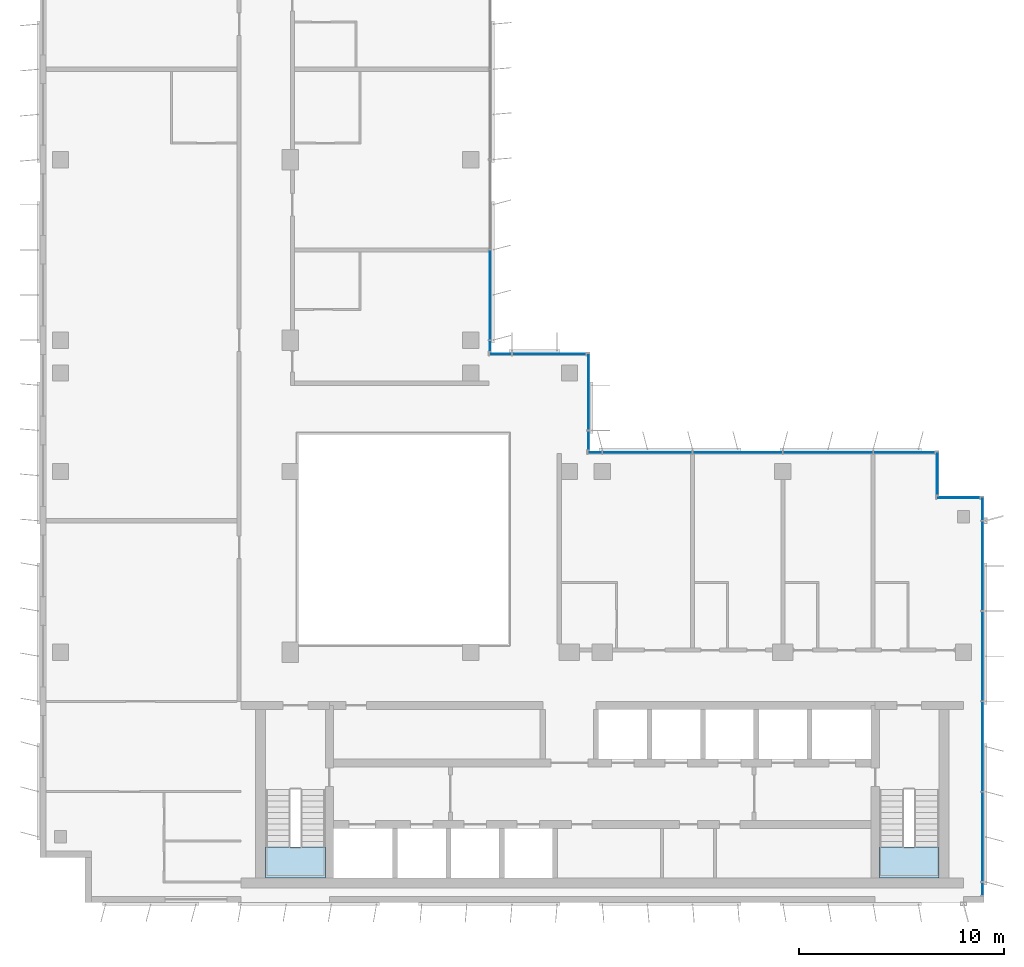
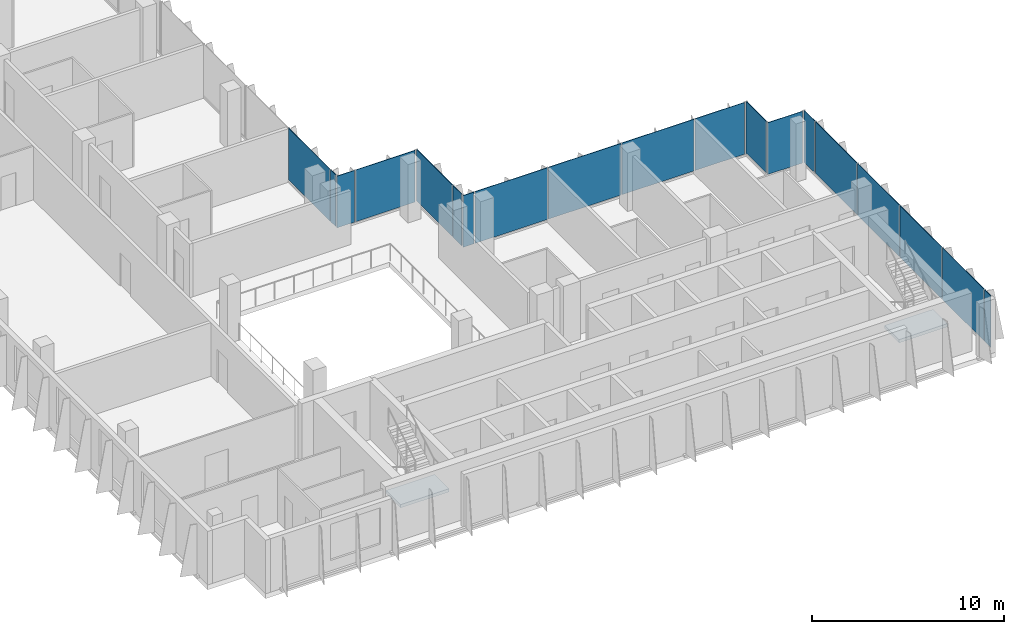
# One storey, part 7 of 15: 19 plates, 2 slabs, 9 elements without a shape of their own.
"""IFC4 building model written with IfcOpenShell, lengths in metres."""

from ifc_helpers import new_model, si_unit, direction, frame, origin, origin_2d, place, context, subcontext, project, spatial, polyline, rectangle, outline, extrude, source, transform, mapped, material, layer, layer_set, type_object, element, aggregate, save


model = new_model("IFC4")

# Units and contexts
model_context = context("Model", 3, precision=1e-05, world=origin(), true_north=direction((0.0, 1.0)))
body_context = subcontext(model_context, "Body", "Model", "MODEL_VIEW")
ifc_project = project(units=[si_unit("LENGTHUNIT", "METRE"), si_unit("AREAUNIT", "SQUARE_METRE"), si_unit("VOLUMEUNIT", "CUBIC_METRE"), si_unit("PLANEANGLEUNIT", "RADIAN"), si_unit("MASSUNIT", "GRAM", prefix="KILO")], contexts=[model_context])

# Site, building, storey
site_placement = place(None, origin())
site = spatial("IfcSite", under=ifc_project, at=site_placement, CompositionType="ELEMENT")
building_placement = place(site_placement, origin())
building = spatial("IfcBuilding", under=site, at=building_placement, Name="Kemantara Hotel Tower", CompositionType="ELEMENT")
storey_placement = place(building_placement, frame((0.0, 0.0, 301.800048828125)))
storey = spatial("IfcBuildingStorey", under=building, at=storey_placement, Name="L76", CompositionType="ELEMENT", Elevation=301.800048828125)

# Stair, slab
ifc_material_1 = material(Name="Concrete fc 40 MPa", Category="concrete")
stair_type = type_object("IfcStairType", Name="Stair 1200 wide 22 risers of 168 x 280 mm", PredefinedType="HALF_TURN_STAIR", material=ifc_material_1)
stair_1_placement = place(storey_placement, origin())
stair_1 = element("IfcStair", 1, at=stair_1_placement, inside=storey, type_object=stair_type, Name="L76 Exit stair ST1", PredefinedType="HALF_TURN_STAIR")
ifc_layer_1 = layer(ifc_material_1, 0.199951171875)
ifc_layer_set_1 = layer_set([ifc_layer_1], Name="Concrete fc 40 MPa")
slab_type = type_object("IfcSlabType", Name="Stair landing 200 mm", PredefinedType="LANDING", material=ifc_layer_set_1)
slab_1_placement = place(storey_placement, frame((0.0, 0.0, 1.64990234375)))
slab_1 = element("IfcSlab", 2, at=slab_1_placement, type_object=slab_type, Name="ST1 landing 1", PredefinedType="LANDING", context=body_context, shape_type="SweptSolid", body=[
    extrude(outline(polyline([(11.0, 2.699951171875), (11.0, 1.199951171875), (13.89990234375, 1.199951171875), (13.89990234375, 2.699951171875), (11.0, 2.699951171875)])), origin(), (0.0, 0.0, 1.0), 0.199951171875),
])
aggregate(stair_1, [slab_1])

stair_2_placement = place(storey_placement, origin())
stair_2 = element("IfcStair", 3, at=stair_2_placement, inside=storey, type_object=stair_type, Name="L76 Exit stair ST2", PredefinedType="HALF_TURN_STAIR")
slab_2_placement = place(storey_placement, frame((0.0, 0.0, 1.64990234375)))
slab_2 = element("IfcSlab", 4, at=slab_2_placement, type_object=slab_type, Name="ST2 landing 1", PredefinedType="LANDING", context=body_context, shape_type="SweptSolid", body=[
    extrude(outline(polyline([(40.89990234375, 2.699951171875), (40.89990234375, 1.199951171875), (43.800048828125, 1.199951171875), (43.800048828125, 2.699951171875), (40.89990234375, 2.699951171875)])), origin(), (0.0, 0.0, 1.0), 0.199951171875),
])
aggregate(stair_2, [slab_2])

# Curtain wall, plates
ifc_material_2 = material(Name="Low-E tinted double insulated glass 36 mm", Category="glass")
curtain_wall_type = type_object("IfcCurtainWallType", Name="TOWER CURTAIN WALL, FRONT FACES", PredefinedType="USERDEFINED", material=ifc_material_2)
curtain_wall_1_placement = place(storey_placement, origin())
curtain_wall_1 = element("IfcCurtainWall", 5, at=curtain_wall_1_placement, inside=storey, type_object=curtain_wall_type, Name="CW4 L76 T4-R09-1", ObjectType="TOWER CURTAIN WALL, FRONT FACES", PredefinedType="USERDEFINED")
ifc_layer_2 = layer(ifc_material_2, 0.035888671875)
ifc_layer_set_2 = layer_set([ifc_layer_2], Name="Low-E tinted double insulated glass 36 mm")
plate_type = type_object("IfcPlateType", Name="TOWER CURTAIN WALL, FRONT FACES PANEL", PredefinedType="CURTAIN_PANEL", material=ifc_layer_set_2)
shared_shape_1 = source(origin(), body_context, "Body", "SweptSolid", [
    extrude(rectangle(XDim=4.340087890625, YDim=0.035888671875, at=origin_2d()), origin(), (0.0, 0.0, 1.0), 3.280029296875),
])
plate_1_placement = place(storey_placement, frame((45.925048828125, 3.199951171875, 0.1201171875), z_axis=(0.0, 0.0, 1.0), x_axis=(0.0, 1.0, 0.0)))
plate_1 = element("IfcPlate", 6, at=plate_1_placement, type_object=plate_type, Name="CW4 glass panel T4-R09-1.2", PredefinedType="CURTAIN_PANEL", context=body_context, shape_type="MappedRepresentation", body=[
    mapped(shared_shape_1, transform((0.0, 0.0, 0.0))),
])
plate_2_placement = place(storey_placement, frame((45.925048828125, 7.60009765625, 0.1201171875), z_axis=(0.0, 0.0, 1.0), x_axis=(0.0, 1.0, 0.0)))
plate_2 = element("IfcPlate", 7, at=plate_2_placement, type_object=plate_type, Name="CW4 glass panel T4-R09-1.3", PredefinedType="CURTAIN_PANEL", context=body_context, shape_type="MappedRepresentation", body=[
    mapped(shared_shape_1, transform((0.0, 0.0, 0.0))),
])
plate_3_placement = place(storey_placement, frame((45.925048828125, 12.0, 0.1201171875), z_axis=(0.0, 0.0, 1.0), x_axis=(0.0, 1.0, 0.0)))
plate_3 = element("IfcPlate", 8, at=plate_3_placement, type_object=plate_type, Name="CW4 glass panel T4-R09-1.4", PredefinedType="CURTAIN_PANEL", context=body_context, shape_type="MappedRepresentation", body=[
    mapped(shared_shape_1, transform((0.0, 0.0, 0.0))),
])
plate_4_placement = place(storey_placement, frame((45.925048828125, 16.39990234375, 0.1201171875), z_axis=(0.0, 0.0, 1.0), x_axis=(0.0, 1.0, 0.0)))
plate_4 = element("IfcPlate", 9, at=plate_4_placement, type_object=plate_type, Name="CW4 glass panel T4-R09-1.5", PredefinedType="CURTAIN_PANEL", context=body_context, shape_type="MappedRepresentation", body=[
    mapped(shared_shape_1, transform((0.0, 0.0, 0.0))),
])

curtain_wall_2_placement = place(storey_placement, origin())
curtain_wall_2 = element("IfcCurtainWall", 10, at=curtain_wall_2_placement, inside=storey, type_object=curtain_wall_type, Name="CW4 L76 T4-R12-1", ObjectType="TOWER CURTAIN WALL, FRONT FACES", PredefinedType="USERDEFINED")
plate_5_placement = place(storey_placement, frame((38.39990234375, 21.925048828125, 0.1201171875), z_axis=(0.0, 0.0, 1.0), x_axis=(-1.0, 0.0, 0.0)))
plate_5 = element("IfcPlate", 11, at=plate_5_placement, type_object=plate_type, Name="CW4 glass panel T4-R12-1.2", PredefinedType="CURTAIN_PANEL", context=body_context, shape_type="MappedRepresentation", body=[
    mapped(shared_shape_1, transform((0.0, 0.0, 0.0))),
])
plate_6_placement = place(storey_placement, frame((34.0, 21.925048828125, 0.1201171875), z_axis=(0.0, 0.0, 1.0), x_axis=(-1.0, 0.0, 0.0)))
plate_6 = element("IfcPlate", 12, at=plate_6_placement, type_object=plate_type, Name="CW4 glass panel T4-R12-1.3", PredefinedType="CURTAIN_PANEL", context=body_context, shape_type="MappedRepresentation", body=[
    mapped(shared_shape_1, transform((0.0, 0.0, 0.0))),
])
plate_7_placement = place(storey_placement, frame((29.60009765625, 21.925048828125, 0.1201171875), z_axis=(0.0, 0.0, 1.0), x_axis=(-1.0, 0.0, 0.0)))
plate_7 = element("IfcPlate", 13, at=plate_7_placement, type_object=plate_type, Name="CW4 glass panel T4-R12-1.4", PredefinedType="CURTAIN_PANEL", context=body_context, shape_type="MappedRepresentation", body=[
    mapped(shared_shape_1, transform((0.0, 0.0, 0.0))),
])

# Curtain wall, plate
curtain_wall_3_placement = place(storey_placement, origin())
curtain_wall_3 = element("IfcCurtainWall", 14, at=curtain_wall_3_placement, inside=storey, type_object=curtain_wall_type, Name="CW4 L76 T4-R15-1", ObjectType="TOWER CURTAIN WALL, FRONT FACES", PredefinedType="USERDEFINED")
plate_8_placement = place(storey_placement, frame((21.925048828125, 29.60009765625, 0.1201171875), z_axis=(0.0, 0.0, 1.0), x_axis=(0.0, 1.0, 0.0)))
plate_8 = element("IfcPlate", 15, at=plate_8_placement, type_object=plate_type, Name="CW4 glass panel T4-R15-1.2", PredefinedType="CURTAIN_PANEL", context=body_context, shape_type="MappedRepresentation", body=[
    mapped(shared_shape_1, transform((0.0, 0.0, 0.0))),
])

curtain_wall_4_placement = place(storey_placement, origin())
curtain_wall_4 = element("IfcCurtainWall", 16, at=curtain_wall_4_placement, inside=storey, type_object=curtain_wall_type, Name="CW4 L76 T4-R10-1", ObjectType="TOWER CURTAIN WALL, FRONT FACES", PredefinedType="USERDEFINED")
shared_shape_2 = source(origin(), body_context, "Body", "SweptSolid", [
    extrude(rectangle(XDim=2.080078125, YDim=0.035888671875, at=origin_2d()), origin(), (0.0, 0.0, 1.0), 3.280029296875),
])
plate_9_placement = place(storey_placement, frame((44.75, 19.72509765625, 0.1201171875), z_axis=(0.0, 0.0, 1.0), x_axis=(-1.0, 0.0, 0.0)))
plate_9 = element("IfcPlate", 17, at=plate_9_placement, type_object=plate_type, Name="CW4 glass panel T4-R10-1.1", PredefinedType="CURTAIN_PANEL", context=body_context, shape_type="MappedRepresentation", body=[
    mapped(shared_shape_2, transform((0.0, 0.0, 0.0))),
])
aggregate(curtain_wall_4, [plate_9])

curtain_wall_5_placement = place(storey_placement, origin())
curtain_wall_5 = element("IfcCurtainWall", 18, at=curtain_wall_5_placement, inside=storey, type_object=curtain_wall_type, Name="CW4 L76 T4-R11-1", ObjectType="TOWER CURTAIN WALL, FRONT FACES", PredefinedType="USERDEFINED")
plate_10_placement = place(storey_placement, frame((43.72509765625, 20.89990234375, 0.1201171875), z_axis=(0.0, 0.0, 1.0), x_axis=(0.0, 1.0, 0.0)))
plate_10 = element("IfcPlate", 19, at=plate_10_placement, type_object=plate_type, Name="CW4 glass panel T4-R11-1.1", PredefinedType="CURTAIN_PANEL", context=body_context, shape_type="MappedRepresentation", body=[
    mapped(shared_shape_2, transform((0.0, 0.0, 0.0))),
])
aggregate(curtain_wall_5, [plate_10])

# Plate
shared_shape_3 = source(origin(), body_context, "Body", "SweptSolid", [
    extrude(rectangle(XDim=2.9599609375, YDim=0.035888671875, at=origin_2d()), origin(), (0.0, 0.0, 1.0), 3.280029296875),
])
plate_11_placement = place(storey_placement, frame((42.110107421875, 21.925048828125, 0.1201171875), z_axis=(0.0, 0.0, 1.0), x_axis=(-1.0, 0.0, 0.0)))
plate_11 = element("IfcPlate", 20, at=plate_11_placement, type_object=plate_type, Name="CW4 glass panel T4-R12-1.1", PredefinedType="CURTAIN_PANEL", context=body_context, shape_type="MappedRepresentation", body=[
    mapped(shared_shape_3, transform((0.0, 0.0, 0.0))),
])

shared_shape_4 = source(origin(), body_context, "Body", "SweptSolid", [
    extrude(rectangle(XDim=0.659912109375, YDim=0.035888671875, at=origin_2d()), origin(), (0.0, 0.0, 1.0), 3.280029296875),
])
plate_12_placement = place(storey_placement, frame((27.0400390625, 21.925048828125, 0.1201171875), z_axis=(0.0, 0.0, 1.0), x_axis=(-1.0, 0.0, 0.0)))
plate_12 = element("IfcPlate", 21, at=plate_12_placement, type_object=plate_type, Name="CW4 glass panel T4-R12-1.5", PredefinedType="CURTAIN_PANEL", context=body_context, shape_type="MappedRepresentation", body=[
    mapped(shared_shape_4, transform((0.0, 0.0, 0.0))),
])

aggregate(curtain_wall_2, [plate_11, plate_5, plate_6, plate_7, plate_12])

shared_shape_5 = source(origin(), body_context, "Body", "SweptSolid", [
    extrude(rectangle(XDim=0.510009765625, YDim=0.035888671875, at=origin_2d()), origin(), (0.0, 0.0, 1.0), 3.280029296875),
])
plate_13_placement = place(storey_placement, frame((21.925048828125, 27.114990234375, 0.1201171875), z_axis=(0.0, 0.0, 1.0), x_axis=(0.0, 1.0, 0.0)))
plate_13 = element("IfcPlate", 22, at=plate_13_placement, type_object=plate_type, Name="CW4 glass panel T4-R15-1.1", PredefinedType="CURTAIN_PANEL", context=body_context, shape_type="MappedRepresentation", body=[
    mapped(shared_shape_5, transform((0.0, 0.0, 0.0))),
])

aggregate(curtain_wall_3, [plate_13, plate_8])

# Curtain wall, plate
curtain_wall_6_placement = place(storey_placement, origin())
curtain_wall_6 = element("IfcCurtainWall", 23, at=curtain_wall_6_placement, inside=storey, type_object=curtain_wall_type, Name="CW4 L76 T4-R13-1", ObjectType="TOWER CURTAIN WALL, FRONT FACES", PredefinedType="USERDEFINED")
shared_shape_6 = source(origin(), body_context, "Body", "SweptSolid", [
    extrude(rectangle(XDim=0.909912109375, YDim=0.035888671875, at=origin_2d()), origin(), (0.0, 0.0, 1.0), 3.280029296875),
])
plate_14_placement = place(storey_placement, frame((26.72509765625, 22.514892578125, 0.1201171875), z_axis=(0.0, 0.0, 1.0), x_axis=(0.0, 1.0, 0.0)))
plate_14 = element("IfcPlate", 24, at=plate_14_placement, type_object=plate_type, Name="CW4 glass panel T4-R13-1.1", PredefinedType="CURTAIN_PANEL", context=body_context, shape_type="MappedRepresentation", body=[
    mapped(shared_shape_6, transform((0.0, 0.0, 0.0))),
])

# Plate
shared_shape_7 = source(origin(), body_context, "Body", "SweptSolid", [
    extrude(rectangle(XDim=1.110107421875, YDim=0.035888671875, at=origin_2d()), origin(), (0.0, 0.0, 1.0), 3.280029296875),
])
plate_15_placement = place(storey_placement, frame((45.925048828125, 19.18505859375, 0.1201171875), z_axis=(0.0, 0.0, 1.0), x_axis=(0.0, 1.0, 0.0)))
plate_15 = element("IfcPlate", 25, at=plate_15_placement, type_object=plate_type, Name="CW4 glass panel T4-R09-1.6", PredefinedType="CURTAIN_PANEL", context=body_context, shape_type="MappedRepresentation", body=[
    mapped(shared_shape_7, transform((0.0, 0.0, 0.0))),
])

shared_shape_8 = source(origin(), body_context, "Body", "SweptSolid", [
    extrude(rectangle(XDim=3.7099609375, YDim=0.035888671875, at=origin_2d()), origin(), (0.0, 0.0, 1.0), 3.280029296875),
])
plate_16_placement = place(storey_placement, frame((26.72509765625, 24.885009765625, 0.1201171875), z_axis=(0.0, 0.0, 1.0), x_axis=(0.0, 1.0, 0.0)))
plate_16 = element("IfcPlate", 26, at=plate_16_placement, type_object=plate_type, Name="CW4 glass panel T4-R13-1.2", PredefinedType="CURTAIN_PANEL", context=body_context, shape_type="MappedRepresentation", body=[
    mapped(shared_shape_8, transform((0.0, 0.0, 0.0))),
])

aggregate(curtain_wall_6, [plate_14, plate_16])

# Curtain wall, plates
curtain_wall_7_placement = place(storey_placement, origin())
curtain_wall_7 = element("IfcCurtainWall", 27, at=curtain_wall_7_placement, inside=storey, type_object=curtain_wall_type, Name="CW4 L76 T4-R14-1", ObjectType="TOWER CURTAIN WALL, FRONT FACES", PredefinedType="USERDEFINED")
shared_shape_9 = source(origin(), body_context, "Body", "SweptSolid", [
    extrude(rectangle(XDim=3.56005859375, YDim=0.035888671875, at=origin_2d()), origin(), (0.0, 0.0, 1.0), 3.280029296875),
])
plate_17_placement = place(storey_placement, frame((24.81005859375, 26.72509765625, 0.1201171875), z_axis=(0.0, 0.0, 1.0), x_axis=(-1.0, 0.0, 0.0)))
plate_17 = element("IfcPlate", 28, at=plate_17_placement, type_object=plate_type, Name="CW4 glass panel T4-R14-1.1", PredefinedType="CURTAIN_PANEL", context=body_context, shape_type="MappedRepresentation", body=[
    mapped(shared_shape_9, transform((0.0, 0.0, 0.0))),
])
shared_shape_10 = source(origin(), body_context, "Body", "SweptSolid", [
    extrude(rectangle(XDim=1.06005859375, YDim=0.035888671875, at=origin_2d()), origin(), (0.0, 0.0, 1.0), 3.280029296875),
])
plate_18_placement = place(storey_placement, frame((22.43994140625, 26.72509765625, 0.1201171875), z_axis=(0.0, 0.0, 1.0), x_axis=(-1.0, 0.0, 0.0)))
plate_18 = element("IfcPlate", 29, at=plate_18_placement, type_object=plate_type, Name="CW4 glass panel T4-R14-1.2", PredefinedType="CURTAIN_PANEL", context=body_context, shape_type="MappedRepresentation", body=[
    mapped(shared_shape_10, transform((0.0, 0.0, 0.0))),
])
aggregate(curtain_wall_7, [plate_17, plate_18])

# Plate
shared_shape_11 = source(origin(), body_context, "Body", "SweptSolid", [
    extrude(rectangle(XDim=0.610107421875, YDim=0.035888671875, at=origin_2d()), origin(), (0.0, 0.0, 1.0), 3.280029296875),
])
plate_19_placement = place(storey_placement, frame((45.925048828125, 0.6650390625, 0.1201171875), z_axis=(0.0, 0.0, 1.0), x_axis=(0.0, 1.0, 0.0)))
plate_19 = element("IfcPlate", 30, at=plate_19_placement, type_object=plate_type, Name="CW4 glass panel T4-R09-1.1", PredefinedType="CURTAIN_PANEL", context=body_context, shape_type="MappedRepresentation", body=[
    mapped(shared_shape_11, transform((0.0, 0.0, 0.0))),
])

aggregate(curtain_wall_1, [plate_19, plate_1, plate_2, plate_3, plate_4, plate_15])

save(model, "model.ifc")
